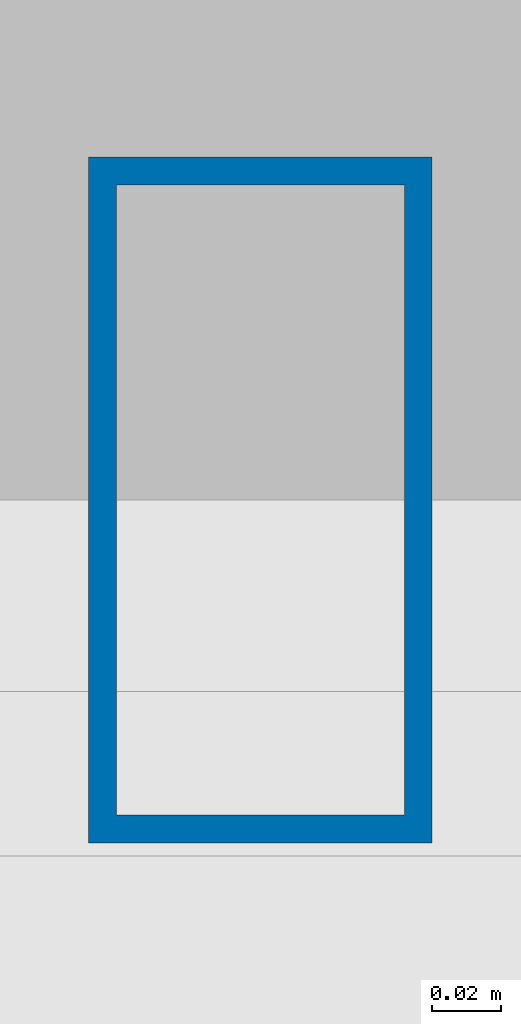
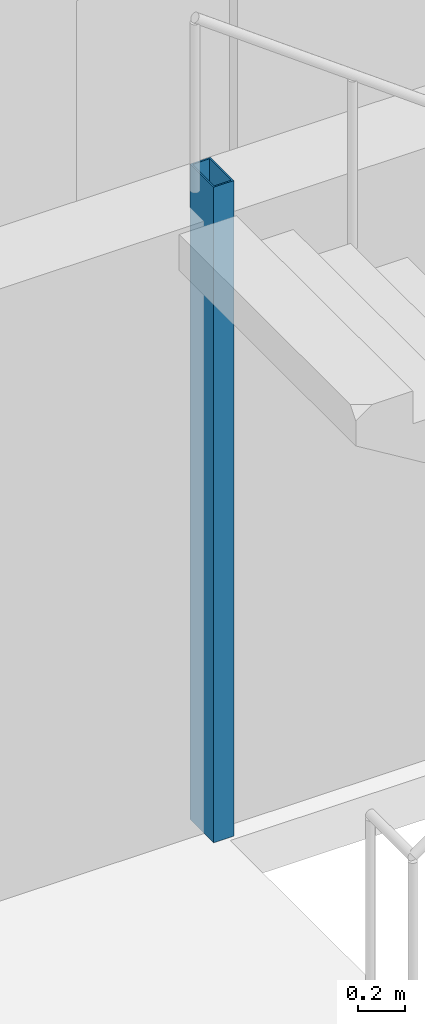
# One storey, part 2 of 19: 1 column.
"""IFC4 building model written with IfcOpenShell, lengths in metres."""

from ifc_helpers import new_model, si_unit, direction, frame, origin, origin_2d, place, context, subcontext, project, spatial, hollow_rectangle, extrude, material, material_profile, profile_set, type_object, element, save


model = new_model("IFC4")

# Units and contexts
model_context = context("Model", 3, precision=1e-05, world=origin(), true_north=direction((0.0, 1.0)))
body_context = subcontext(model_context, "Body", "Model", "MODEL_VIEW")
ifc_project = project(units=[si_unit("LENGTHUNIT", "METRE"), si_unit("AREAUNIT", "SQUARE_METRE"), si_unit("VOLUMEUNIT", "CUBIC_METRE"), si_unit("PLANEANGLEUNIT", "RADIAN"), si_unit("MASSUNIT", "GRAM", prefix="KILO")], contexts=[model_context])

# Site, building, storey
site_placement = place(None, origin())
site = spatial("IfcSite", under=ifc_project, at=site_placement, CompositionType="ELEMENT")
building_placement = place(site_placement, origin())
building = spatial("IfcBuilding", under=site, at=building_placement, Name="Menara Jurai Vektor", CompositionType="ELEMENT")
storey_placement = place(building_placement, frame((0.0, 0.0, 171.800048828125)))
storey = spatial("IfcBuildingStorey", under=building, at=storey_placement, Name="L44", CompositionType="ELEMENT", Elevation=171.800048828125)

# Column
ifc_material = material(Name="Steel S355", Category="steel")
ifc_material_profile = material_profile(ifc_material, hollow_rectangle(XDim=0.10009765625, YDim=0.199951171875, WallThickness=0.008056640625, at=origin_2d()), Name="RHS 200x100x8")
ifc_profile_set = profile_set([ifc_material_profile], Name="Steel S355")
column_type = type_object("IfcColumnType", Name="STR-COL-STAIR", PredefinedType="COLUMN", material=ifc_profile_set)
column_placement = place(storey_placement, frame((-11.1201171875, 5.419921875, 0.0), z_axis=(0.0, 0.0, 1.0), x_axis=(1.0, 0.0, 0.0)))
element("IfcColumn", 1, at=column_placement, inside=storey, type_object=column_type, Name="Stair Well Header Column ST1-P2 L44", PredefinedType="COLUMN", context=body_context, shape_type="SweptSolid", body=[
    extrude(hollow_rectangle(XDim=0.10009765625, YDim=0.199951171875, WallThickness=0.008056640625, at=origin_2d()), origin(), (0.0, 0.0, 1.0), 3.39990234375),
])

save(model, "model.ifc")
